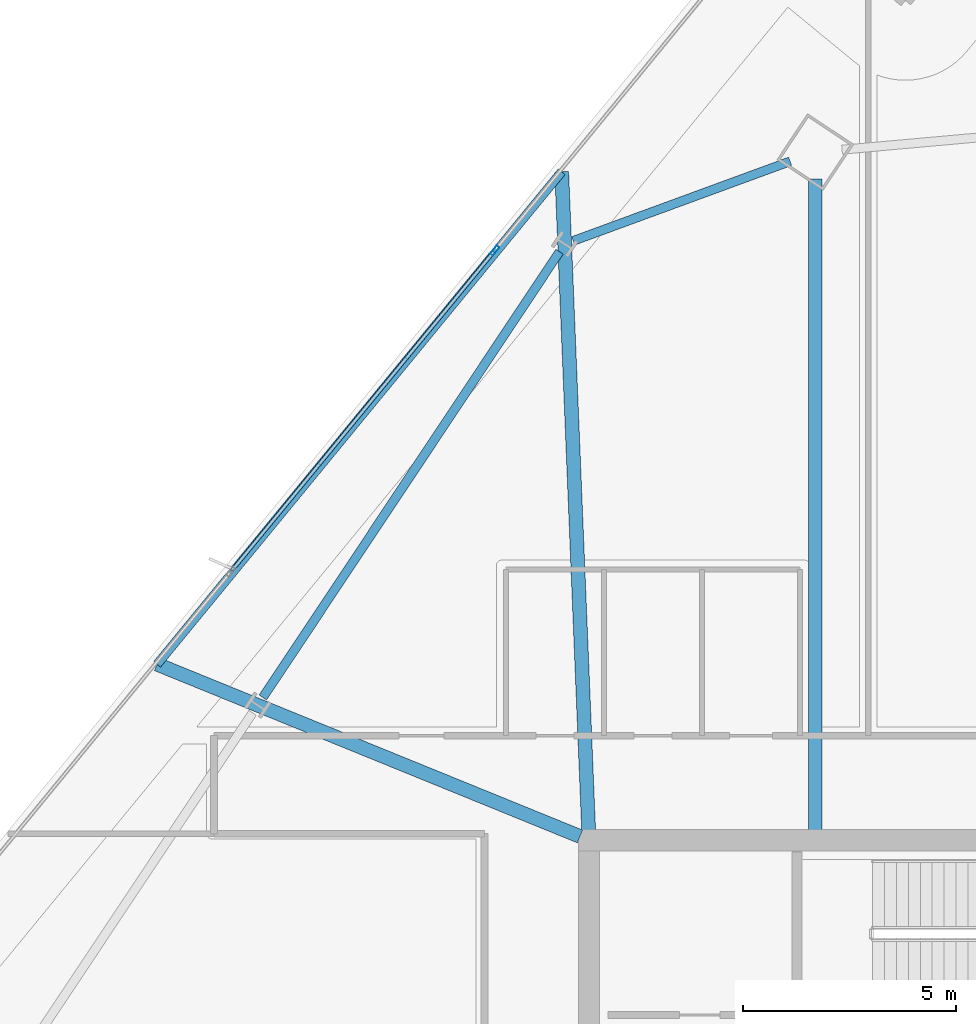
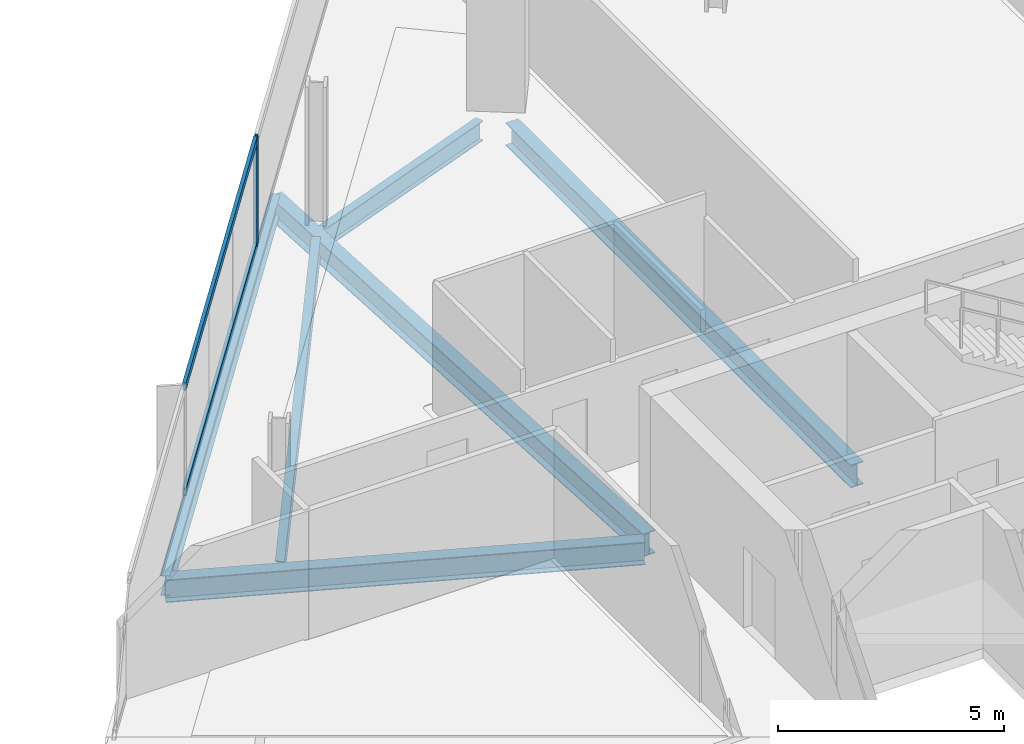
# One storey, part 14 of 28: 6 beams, 3 members, 1 element without a shape of its own.
"""IFC4 building model written with IfcOpenShell, lengths in metres."""

import ifcopenshell
import ifcopenshell.guid

model = None  # the IFC model being written
_history = None  # IfcOwnerHistory: only IFC2X3 demands one
_inside = {}  # id of a spatial element -> (the spatial element, [elements in it])
_under = {}  # id of a project, library or spatial element -> (it, [spatial elements below it])
_declared = {}  # id of a project -> (the project, [libraries it declares])
_typed = {}  # id of a type object -> (the type object, [elements of that type])
_made_of = {}  # id of a material, layer set ... -> (it, [elements and type objects made of it])


def new_model(schema):
    """Start an empty IFC model of exactly this schema.

    Asked for "IFC4X3", IfcOpenShell would pick the latest addendum, in which some entities
    have other attributes; the version numbers below select the first issue.
    IFC2X3 requires an IfcOwnerHistory on every rooted entity: one is made here for all.
    """
    global model, _history
    if schema == "IFC4X3":
        model = ifcopenshell.file(schema_version=(4, 3, 0, 0))
    else:
        model = ifcopenshell.file(schema=schema)
    _inside.clear()
    _under.clear()
    _declared.clear()
    _typed.clear()
    _made_of.clear()
    _history = None
    if model.schema == "IFC2X3":
        org = make("IfcOrganization", Name="unknown")
        user = make(
            "IfcPersonAndOrganization",
            ThePerson=make("IfcPerson", FamilyName="unknown"),
            TheOrganization=org,
        )
        app = make(
            "IfcApplication",
            ApplicationDeveloper=org,
            Version="unknown",
            ApplicationFullName="unknown",
            ApplicationIdentifier="unknown",
        )
        _history = make(
            "IfcOwnerHistory",
            OwningUser=user,
            OwningApplication=app,
            ChangeAction="ADDED",
            CreationDate=0,
        )
    return model


def make(cls, **values):
    """One entity of the class cls with the attributes given. An attribute that is None is left unset."""
    return model.create_entity(
        cls, **{name: value for name, value in values.items() if value is not None}
    )


def rooted(cls, **values):
    """An entity with a GlobalId (a new one), such as an element, a storey or a relation."""
    return make(cls, GlobalId=ifcopenshell.guid.new(), OwnerHistory=_history, **values)


def si_unit(unit_type, name, prefix=None):
    """IfcSIUnit, for example si_unit("LENGTHUNIT", "METRE", prefix="MILLI")."""
    return make("IfcSIUnit", UnitType=unit_type, Prefix=prefix, Name=name)


def assignment(units):
    """IfcUnitAssignment: the units of a project."""
    return None if units is None else make("IfcUnitAssignment", Units=units)


def point(xyz):
    """IfcCartesianPoint."""
    return None if xyz is None else make("IfcCartesianPoint", Coordinates=xyz)


def direction(xyz):
    """IfcDirection."""
    return None if xyz is None else make("IfcDirection", DirectionRatios=xyz)


def frame(location, z_axis=None, x_axis=None):
    """IfcAxis2Placement3D, a coordinate frame: its origin and axes. An axis left out is left unset."""
    return make(
        "IfcAxis2Placement3D",
        Location=point(location),
        Axis=direction(z_axis),
        RefDirection=direction(x_axis),
    )


def frame_2d(location, x_axis=None):
    """IfcAxis2Placement2D, a coordinate frame in the plane: its origin and x axis."""
    return make(
        "IfcAxis2Placement2D", Location=point(location), RefDirection=direction(x_axis)
    )


def origin():
    """The frame at (0, 0, 0) with its axes left unset."""
    return frame((0.0, 0.0, 0.0))


def origin_2d():
    """The frame at (0, 0) in the plane with its x axis left unset."""
    return frame_2d((0.0, 0.0))


def place(relative_to, where):
    """IfcLocalPlacement: puts the frame where relative to a parent placement (None: the world)."""
    return make(
        "IfcLocalPlacement", PlacementRelTo=relative_to, RelativePlacement=where
    )


def context(
    kind, dimensions, precision=None, world=None, true_north=None, identifier=None
):
    """IfcGeometricRepresentationContext, for example the 3D "Model" context."""
    return make(
        "IfcGeometricRepresentationContext",
        ContextIdentifier=identifier,
        ContextType=kind,
        CoordinateSpaceDimension=dimensions,
        Precision=precision,
        WorldCoordinateSystem=world,
        TrueNorth=true_north,
    )


def subcontext(parent, identifier, kind, view, scale=None):
    """IfcGeometricRepresentationSubContext, for example "Body" below "Model"."""
    return make(
        "IfcGeometricRepresentationSubContext",
        ContextIdentifier=identifier,
        ContextType=kind,
        ParentContext=parent,
        TargetScale=scale,
        TargetView=view,
    )


def project(units=None, contexts=None):
    """IfcProject with its units and contexts."""
    return rooted(
        "IfcProject",
        Name="project",
        RepresentationContexts=contexts,
        UnitsInContext=assignment(units),
    )


def spatial(cls, under=None, at=None, **own):
    """A site, building, storey or space (cls), placed at a placement, below another one or the project."""
    s = rooted(cls, ObjectPlacement=at, **own)
    if under is not None:
        _under.setdefault(under.id(), (under, []))[1].append(s)
    return s


def profile(cls, at=None, kind="AREA", **sizes):
    """A parametric profile (cls). Its sizes go by their IFC names, for example OverallWidth=200.0."""
    return make(cls, ProfileType=kind, Position=at, **sizes)


def hollow_rectangle(**sizes):
    """IfcRectangleHollowProfileDef."""
    return profile("IfcRectangleHollowProfileDef", **sizes)


def i_section(**sizes):
    """IfcIShapeProfileDef."""
    return profile("IfcIShapeProfileDef", **sizes)


def extrude(swept, where, along, depth):
    """IfcExtrudedAreaSolid: the profile swept, set in the frame where, extruded along a direction by depth."""
    return make(
        "IfcExtrudedAreaSolid",
        SweptArea=swept,
        Position=where,
        ExtrudedDirection=direction(along),
        Depth=depth,
    )


def shape(context_of_items, identifier, shape_type, items):
    """IfcShapeRepresentation: the items that make up one representation, for example the "Body"."""
    return make(
        "IfcShapeRepresentation",
        ContextOfItems=context_of_items,
        RepresentationIdentifier=identifier,
        RepresentationType=shape_type,
        Items=items,
    )


def material(Name=None, Category=None):
    """IfcMaterial."""
    return make("IfcMaterial", Name=Name, Category=Category)


def material_profile(
    of_material, cross_section, Name=None, Category=None, Priority=None
):
    """IfcMaterialProfile: a cross section and its material."""
    return make(
        "IfcMaterialProfile",
        Name=Name,
        Material=of_material,
        Profile=cross_section,
        Priority=Priority,
        Category=Category,
    )


def profile_set(profiles, Name=None, composite=None):
    """IfcMaterialProfileSet."""
    return make(
        "IfcMaterialProfileSet",
        Name=Name,
        MaterialProfiles=profiles,
        CompositeProfile=composite,
    )


def made_of(thing, what):
    """Note that an element or type object is made of a material, layer set ...; save() writes the relation."""
    if what is not None:
        _made_of.setdefault(what.id(), (what, []))[1].append(thing)
    return thing


def type_object(cls, material=None, **own):
    """A type object (cls), such as IfcWallType, which elements share."""
    return made_of(rooted(cls, **own), material)


def element(
    cls,
    number,
    at=None,
    inside=None,
    cuts=None,
    type_object=None,
    material=None,
    context=None,
    identifier="Body",
    shape_type=None,
    held_by="IfcProductDefinitionShape",
    body=None,
    shapes=None,
    **own,
):
    """One element of the class cls, such as IfcWall. Its Tag is "e" and its number.

    at: its placement. inside: the storey or other place that contains it. cuts: it is an
    opening in that element (IfcRelVoidsElement). A single representation is given by context,
    identifier, shape_type and body (its items); several are given by shapes. held_by: the class
    of the entity that holds the representations. save() writes the other relations.
    """
    e = rooted(cls, Tag="e%d" % number, ObjectPlacement=at, **own)
    if body is not None:
        shapes = [shape(context, identifier, shape_type, body)]
    if shapes is not None:
        e.Representation = make(held_by, Representations=shapes)
    if inside is not None:
        _inside.setdefault(inside.id(), (inside, []))[1].append(e)
    if cuts is not None:
        rooted(
            "IfcRelVoidsElement", RelatingBuildingElement=cuts, RelatedOpeningElement=e
        )
    if type_object is not None:
        _typed.setdefault(type_object.id(), (type_object, []))[1].append(e)
    return made_of(e, material)


def aggregate(whole, parts):
    """IfcRelAggregates: a whole, such as a stair, and the parts it consists of."""
    return rooted("IfcRelAggregates", RelatingObject=whole, RelatedObjects=parts)


def save(model, path):
    """Write the relations noted so far, then the file.

    IfcRelAggregates (storeys below a building ...), IfcRelContainedInSpatialStructure (elements
    in a storey), IfcRelDefinesByType, IfcRelAssociatesMaterial and IfcRelDeclares: one each for
    every whole, place, type object, material and project.
    """
    for whole, parts in _under.values():
        aggregate(whole, parts)
    for where, things in _inside.values():
        rooted(
            "IfcRelContainedInSpatialStructure",
            RelatedElements=things,
            RelatingStructure=where,
        )
    for kind, things in _typed.values():
        rooted("IfcRelDefinesByType", RelatedObjects=things, RelatingType=kind)
    for what, things in _made_of.values():
        rooted("IfcRelAssociatesMaterial", RelatedObjects=things, RelatingMaterial=what)
    for by, libraries in _declared.values():
        rooted("IfcRelDeclares", RelatingContext=by, RelatedDefinitions=libraries)
    model.write(path)


model = new_model("IFC4")

# Units and contexts
model_context = context("Model", 3, precision=1e-05, world=origin(), true_north=direction((0.0, 1.0)))
body_context = subcontext(model_context, "Body", "Model", "MODEL_VIEW")
ifc_project = project(units=[si_unit("LENGTHUNIT", "METRE"), si_unit("AREAUNIT", "SQUARE_METRE"), si_unit("VOLUMEUNIT", "CUBIC_METRE"), si_unit("PLANEANGLEUNIT", "RADIAN"), si_unit("MASSUNIT", "GRAM", prefix="KILO")], contexts=[model_context])

# Site, building, storey
site_placement = place(None, origin())
site = spatial("IfcSite", under=ifc_project, at=site_placement, CompositionType="ELEMENT")
building_placement = place(site_placement, origin())
building = spatial("IfcBuilding", under=site, at=building_placement, Name="Haldenkirk Collegiate Tower", CompositionType="ELEMENT")
storey_placement = place(building_placement, frame((0.0, 0.0, 198.449951171875)))
storey = spatial("IfcBuildingStorey", under=building, at=storey_placement, Name="L49", CompositionType="ELEMENT", Elevation=198.449951171875)

# Beams
ifc_material_1 = material(Name="Steel ASTM A992 Grade 50", Category="steel")
ifc_material_profile_1 = material_profile(ifc_material_1, i_section(OverallWidth=0.324951171875, OverallDepth=0.615966796875, WebThickness=0.013916015625, FlangeThickness=0.021484375, at=origin_2d()), Name="W24X117")
ifc_profile_set_1 = profile_set([ifc_material_profile_1], Name="Steel ASTM A992 Grade 50")
beam_type_1 = type_object("IfcBeamType", Name="BM-GIRDER-W24X117", PredefinedType="BEAM", material=ifc_profile_set_1)
beam_1_placement = place(storey_placement, frame((32.30810546875, 49.5107421875, -0.587890625), z_axis=(0.0, -1.0, 0.0), x_axis=(1.0, 0.0, 0.0)))
element("IfcBeam", 1, at=beam_1_placement, inside=storey, type_object=beam_type_1, Name="L49 primary floor girder 03", PredefinedType="BEAM", context=body_context, shape_type="SweptSolid", body=[
    extrude(i_section(OverallWidth=0.324951171875, OverallDepth=0.615966796875, WebThickness=0.013916015625, FlangeThickness=0.021484375, at=origin_2d()), origin(), (0.0, 0.0, 1.0), 15.28076171875),
])
beam_2_placement = place(storey_placement, frame((26.3583984375, 49.6787109375, -0.587890625), z_axis=(0.040879846023, -0.999164069705, 0.0), x_axis=(0.999164069705, 0.040879846023, 0.0)))
element("IfcBeam", 2, at=beam_2_placement, inside=storey, type_object=beam_type_1, Name="L49 primary floor girder 11", PredefinedType="BEAM", context=body_context, shape_type="SweptSolid", body=[
    extrude(i_section(OverallWidth=0.324951171875, OverallDepth=0.615966796875, WebThickness=0.013916015625, FlangeThickness=0.021484375, at=origin_2d()), origin(), (0.0, 0.0, 1.0), 15.4619140625),
])
beam_3_placement = place(storey_placement, frame((16.86865234375, 38.12548828125, -0.587890625), z_axis=(0.926158725496, -0.377133948601, 0.0), x_axis=(0.377133948601, 0.926158725496, 0.0)))
element("IfcBeam", 3, at=beam_3_placement, inside=storey, type_object=beam_type_1, Name="L49 primary floor girder 12", PredefinedType="BEAM", context=body_context, shape_type="SweptSolid", body=[
    extrude(i_section(OverallWidth=0.324951171875, OverallDepth=0.615966796875, WebThickness=0.013916015625, FlangeThickness=0.021484375, at=origin_2d()), origin(), (0.0, 0.0, 1.0), 10.709228515625),
])
ifc_material_profile_2 = material_profile(ifc_material_1, i_section(OverallWidth=0.2099609375, OverallDepth=0.537109375, WebThickness=0.010986328125, FlangeThickness=0.017333984375, at=origin_2d()), Name="W21X68")
ifc_profile_set_2 = profile_set([ifc_material_profile_2], Name="Steel ASTM A992 Grade 50")
beam_type_2 = type_object("IfcBeamType", Name="BM-SPANDREL-W21X68", PredefinedType="SPANDREL", material=ifc_profile_set_2)
beam_4_placement = place(storey_placement, frame((31.716796875, 49.923828125, -0.54833984375), z_axis=(-0.938842319963, -0.344347351153, 0.0), x_axis=(0.344347351153, -0.938842319963, 0.0)))
element("IfcBeam", 4, at=beam_4_placement, inside=storey, type_object=beam_type_2, Name="L49 perimeter spandrel beam 09", PredefinedType="SPANDREL", context=body_context, shape_type="SweptSolid", body=[
    extrude(i_section(OverallWidth=0.2099609375, OverallDepth=0.537109375, WebThickness=0.010986328125, FlangeThickness=0.017333984375, at=origin_2d()), origin(), (0.0, 0.0, 1.0), 5.416748046875),
])
beam_5_placement = place(storey_placement, frame((26.3076171875, 47.80322265625, -0.54833984375), z_axis=(-0.554125989098, -0.832432813028, 0.0), x_axis=(0.832432813028, -0.554125989098, 0.0)))
element("IfcBeam", 5, at=beam_5_placement, inside=storey, type_object=beam_type_2, Name="L49 perimeter spandrel beam 10", PredefinedType="SPANDREL", context=body_context, shape_type="SweptSolid", body=[
    extrude(i_section(OverallWidth=0.2099609375, OverallDepth=0.537109375, WebThickness=0.010986328125, FlangeThickness=0.017333984375, at=origin_2d()), origin(), (0.0, 0.0, 1.0), 12.56201171875),
])
beam_6_placement = place(storey_placement, frame((26.3583984375, 49.6787109375, -0.54833984375), z_axis=(-0.634723404751, -0.77273941239, 0.0), x_axis=(0.77273941239, -0.634723404751, 0.0)))
element("IfcBeam", 6, at=beam_6_placement, inside=storey, type_object=beam_type_2, Name="L49 outer facade edge beam 3", PredefinedType="SPANDREL", context=body_context, shape_type="SweptSolid", body=[
    extrude(i_section(OverallWidth=0.2099609375, OverallDepth=0.537109375, WebThickness=0.010986328125, FlangeThickness=0.017333984375, at=origin_2d()), origin(), (0.0, 0.0, 1.0), 14.950927734375),
])

# Curtain wall, members
ifc_material_2 = material(Name="Anodised architectural bronze aluminium", Category="aluminium")
curtain_wall_type = type_object("IfcCurtainWallType", Name="CW-SYS1B-CONVEX-HI", PredefinedType="USERDEFINED", material=ifc_material_2)
curtain_wall_placement = place(storey_placement, origin())
curtain_wall = element("IfcCurtainWall", 7, at=curtain_wall_placement, inside=storey, type_object=curtain_wall_type, Name="L49 Upper tower high-wind convex bronze unitised curtain wall", ObjectType="UNITISED CURTAIN WALL", PredefinedType="USERDEFINED")
ifc_material_profile_3 = material_profile(ifc_material_2, hollow_rectangle(XDim=0.0849609375, YDim=0.25, WallThickness=0.0048828125, at=origin_2d()), Name="CW-MUL-1B")
ifc_profile_set_3 = profile_set([ifc_material_profile_3], Name="Anodised architectural bronze aluminium")
member_type_1 = type_object("IfcMemberType", Name="CW-MUL-1B", PredefinedType="MULLION", material=ifc_profile_set_3)
member_1_placement = place(storey_placement, frame((24.78662109375, 47.828125, 0.0), z_axis=(0.0, 0.0, 1.0), x_axis=(-0.772732318121, 0.634732041519, 0.0)))
member_1 = element("IfcMember", 8, at=member_1_placement, type_object=member_type_1, Name="CW-1B mullion 4", PredefinedType="MULLION", context=body_context, shape_type="SweptSolid", body=[
    extrude(hollow_rectangle(XDim=0.0849609375, YDim=0.25, WallThickness=0.0048828125, at=origin_2d()), origin(), (0.0, 0.0, 1.0), 2.927978515625),
])
ifc_material_profile_4 = material_profile(ifc_material_2, hollow_rectangle(XDim=0.0849609375, YDim=0.199951171875, WallThickness=0.0048828125, at=origin_2d()), Name="CW-TRN-1B")
ifc_profile_set_4 = profile_set([ifc_material_profile_4], Name="Anodised architectural bronze aluminium")
member_type_2 = type_object("IfcMemberType", Name="CW-TRN-1B", PredefinedType="USERDEFINED", material=ifc_profile_set_4)
member_2_placement = place(storey_placement, frame((18.625, 40.326904296875, 0.04248046875), z_axis=(0.634734575265, 0.772730236864, 0.0), x_axis=(-0.772730236864, 0.634734575265, 0.0)))
member_2 = element("IfcMember", 9, at=member_2_placement, type_object=member_type_2, Name="CW-1B transom 3.1", ObjectType="TRANSOM", PredefinedType="USERDEFINED", context=body_context, shape_type="SweptSolid", body=[
    extrude(hollow_rectangle(XDim=0.0849609375, YDim=0.199951171875, WallThickness=0.0048828125, at=origin_2d()), origin(), (0.0, 0.0, 1.0), 9.6650390625),
])
member_3_placement = place(storey_placement, frame((18.625, 40.326904296875, 2.885498046875), z_axis=(0.634734575265, 0.772730236864, 0.0), x_axis=(-0.772730236864, 0.634734575265, 0.0)))
member_3 = element("IfcMember", 10, at=member_3_placement, type_object=member_type_2, Name="CW-1B transom 3.2", ObjectType="TRANSOM", PredefinedType="USERDEFINED", context=body_context, shape_type="SweptSolid", body=[
    extrude(hollow_rectangle(XDim=0.0849609375, YDim=0.199951171875, WallThickness=0.0048828125, at=origin_2d()), origin(), (0.0, 0.0, 1.0), 9.6650390625),
])
aggregate(curtain_wall, [member_1, member_2, member_3])

save(model, "model.ifc")
